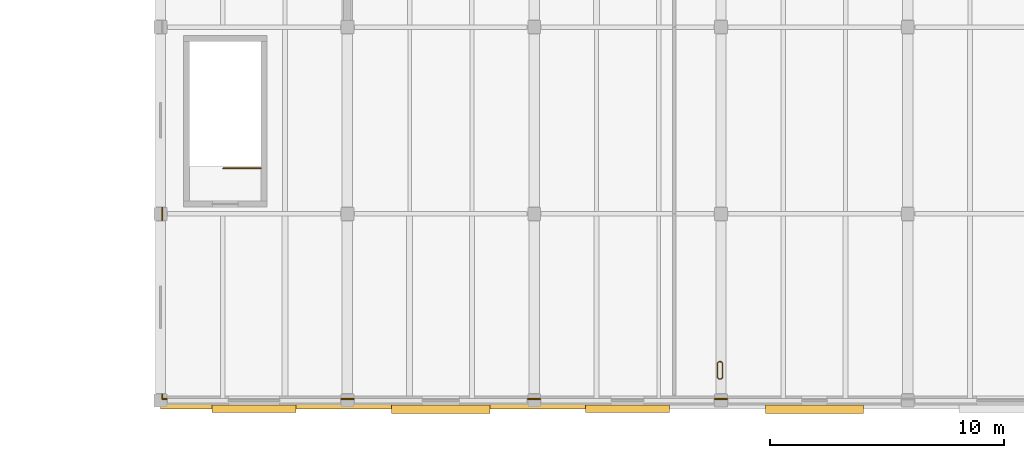
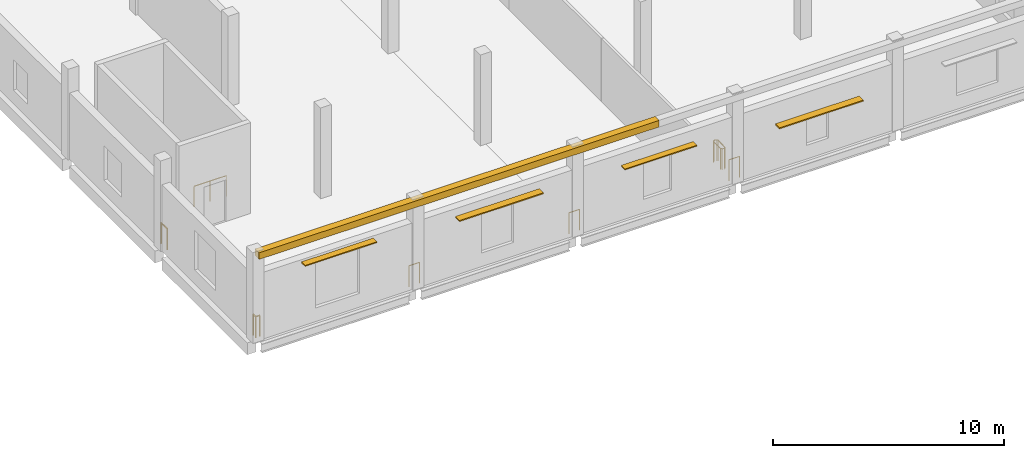
# One storey, part 49 of 52: 8 railings, 4 shading devices, 1 covering.
"""IFC4 building model written with IfcOpenShell, lengths in metres."""

import ifcopenshell
import ifcopenshell.guid

model = None  # the IFC model being written
_history = None  # IfcOwnerHistory: only IFC2X3 demands one
_inside = {}  # id of a spatial element -> (the spatial element, [elements in it])
_under = {}  # id of a project, library or spatial element -> (it, [spatial elements below it])
_declared = {}  # id of a project -> (the project, [libraries it declares])
_typed = {}  # id of a type object -> (the type object, [elements of that type])
_made_of = {}  # id of a material, layer set ... -> (it, [elements and type objects made of it])


def new_model(schema):
    """Start an empty IFC model of exactly this schema.

    Asked for "IFC4X3", IfcOpenShell would pick the latest addendum, in which some entities
    have other attributes; the version numbers below select the first issue.
    IFC2X3 requires an IfcOwnerHistory on every rooted entity: one is made here for all.
    """
    global model, _history
    if schema == "IFC4X3":
        model = ifcopenshell.file(schema_version=(4, 3, 0, 0))
    else:
        model = ifcopenshell.file(schema=schema)
    _inside.clear()
    _under.clear()
    _declared.clear()
    _typed.clear()
    _made_of.clear()
    _history = None
    if model.schema == "IFC2X3":
        org = make("IfcOrganization", Name="unknown")
        user = make(
            "IfcPersonAndOrganization",
            ThePerson=make("IfcPerson", FamilyName="unknown"),
            TheOrganization=org,
        )
        app = make(
            "IfcApplication",
            ApplicationDeveloper=org,
            Version="unknown",
            ApplicationFullName="unknown",
            ApplicationIdentifier="unknown",
        )
        _history = make(
            "IfcOwnerHistory",
            OwningUser=user,
            OwningApplication=app,
            ChangeAction="ADDED",
            CreationDate=0,
        )
    return model


def make(cls, **values):
    """One entity of the class cls with the attributes given. An attribute that is None is left unset."""
    return model.create_entity(
        cls, **{name: value for name, value in values.items() if value is not None}
    )


def rooted(cls, **values):
    """An entity with a GlobalId (a new one), such as an element, a storey or a relation."""
    return make(cls, GlobalId=ifcopenshell.guid.new(), OwnerHistory=_history, **values)


def si_unit(unit_type, name, prefix=None):
    """IfcSIUnit, for example si_unit("LENGTHUNIT", "METRE", prefix="MILLI")."""
    return make("IfcSIUnit", UnitType=unit_type, Prefix=prefix, Name=name)


def assignment(units):
    """IfcUnitAssignment: the units of a project."""
    return None if units is None else make("IfcUnitAssignment", Units=units)


def point(xyz):
    """IfcCartesianPoint."""
    return None if xyz is None else make("IfcCartesianPoint", Coordinates=xyz)


def direction(xyz):
    """IfcDirection."""
    return None if xyz is None else make("IfcDirection", DirectionRatios=xyz)


def frame(location, z_axis=None, x_axis=None):
    """IfcAxis2Placement3D, a coordinate frame: its origin and axes. An axis left out is left unset."""
    return make(
        "IfcAxis2Placement3D",
        Location=point(location),
        Axis=direction(z_axis),
        RefDirection=direction(x_axis),
    )


def frame_2d(location, x_axis=None):
    """IfcAxis2Placement2D, a coordinate frame in the plane: its origin and x axis."""
    return make(
        "IfcAxis2Placement2D", Location=point(location), RefDirection=direction(x_axis)
    )


def origin():
    """The frame at (0, 0, 0) with its axes left unset."""
    return frame((0.0, 0.0, 0.0))


def origin_2d():
    """The frame at (0, 0) in the plane with its x axis left unset."""
    return frame_2d((0.0, 0.0))


def place(relative_to, where):
    """IfcLocalPlacement: puts the frame where relative to a parent placement (None: the world)."""
    return make(
        "IfcLocalPlacement", PlacementRelTo=relative_to, RelativePlacement=where
    )


def context(
    kind, dimensions, precision=None, world=None, true_north=None, identifier=None
):
    """IfcGeometricRepresentationContext, for example the 3D "Model" context."""
    return make(
        "IfcGeometricRepresentationContext",
        ContextIdentifier=identifier,
        ContextType=kind,
        CoordinateSpaceDimension=dimensions,
        Precision=precision,
        WorldCoordinateSystem=world,
        TrueNorth=true_north,
    )


def subcontext(parent, identifier, kind, view, scale=None):
    """IfcGeometricRepresentationSubContext, for example "Body" below "Model"."""
    return make(
        "IfcGeometricRepresentationSubContext",
        ContextIdentifier=identifier,
        ContextType=kind,
        ParentContext=parent,
        TargetScale=scale,
        TargetView=view,
    )


def project(units=None, contexts=None):
    """IfcProject with its units and contexts."""
    return rooted(
        "IfcProject",
        Name="project",
        RepresentationContexts=contexts,
        UnitsInContext=assignment(units),
    )


def spatial(cls, under=None, at=None, **own):
    """A site, building, storey or space (cls), placed at a placement, below another one or the project."""
    s = rooted(cls, ObjectPlacement=at, **own)
    if under is not None:
        _under.setdefault(under.id(), (under, []))[1].append(s)
    return s


def polyline(points):
    """IfcPolyline through the points."""
    return make("IfcPolyline", Points=[point(p) for p in points])


def profile(cls, at=None, kind="AREA", **sizes):
    """A parametric profile (cls). Its sizes go by their IFC names, for example OverallWidth=200.0."""
    return make(cls, ProfileType=kind, Position=at, **sizes)


def rectangle(**sizes):
    """IfcRectangleProfileDef."""
    return profile("IfcRectangleProfileDef", **sizes)


def circle(**sizes):
    """IfcCircleProfileDef."""
    return profile("IfcCircleProfileDef", **sizes)


def outline(outer, holes=None, kind="AREA"):
    """IfcArbitraryClosedProfileDef: a profile drawn as a closed curve; with holes, ...WithVoids."""
    if holes is None:
        return make("IfcArbitraryClosedProfileDef", ProfileType=kind, OuterCurve=outer)
    return make(
        "IfcArbitraryProfileDefWithVoids",
        ProfileType=kind,
        OuterCurve=outer,
        InnerCurves=holes,
    )


def extrude(swept, where, along, depth):
    """IfcExtrudedAreaSolid: the profile swept, set in the frame where, extruded along a direction by depth."""
    return make(
        "IfcExtrudedAreaSolid",
        SweptArea=swept,
        Position=where,
        ExtrudedDirection=direction(along),
        Depth=depth,
    )


def shape(context_of_items, identifier, shape_type, items):
    """IfcShapeRepresentation: the items that make up one representation, for example the "Body"."""
    return make(
        "IfcShapeRepresentation",
        ContextOfItems=context_of_items,
        RepresentationIdentifier=identifier,
        RepresentationType=shape_type,
        Items=items,
    )


def material(Name=None, Category=None):
    """IfcMaterial."""
    return make("IfcMaterial", Name=Name, Category=Category)


def layer(
    of_material, thickness, ventilated=None, Name=None, Category=None, Priority=None
):
    """IfcMaterialLayer: one layer of a wall or slab, of a material (None: an air gap)."""
    return make(
        "IfcMaterialLayer",
        Material=of_material,
        LayerThickness=thickness,
        IsVentilated=ventilated,
        Name=Name,
        Category=Category,
        Priority=Priority,
    )


def layer_set(layers, Name=None):
    """IfcMaterialLayerSet."""
    return make("IfcMaterialLayerSet", MaterialLayers=layers, LayerSetName=Name)


def made_of(thing, what):
    """Note that an element or type object is made of a material, layer set ...; save() writes the relation."""
    if what is not None:
        _made_of.setdefault(what.id(), (what, []))[1].append(thing)
    return thing


def type_object(cls, material=None, **own):
    """A type object (cls), such as IfcWallType, which elements share."""
    return made_of(rooted(cls, **own), material)


def element(
    cls,
    number,
    at=None,
    inside=None,
    cuts=None,
    type_object=None,
    material=None,
    context=None,
    identifier="Body",
    shape_type=None,
    held_by="IfcProductDefinitionShape",
    body=None,
    shapes=None,
    **own,
):
    """One element of the class cls, such as IfcWall. Its Tag is "e" and its number.

    at: its placement. inside: the storey or other place that contains it. cuts: it is an
    opening in that element (IfcRelVoidsElement). A single representation is given by context,
    identifier, shape_type and body (its items); several are given by shapes. held_by: the class
    of the entity that holds the representations. save() writes the other relations.
    """
    e = rooted(cls, Tag="e%d" % number, ObjectPlacement=at, **own)
    if body is not None:
        shapes = [shape(context, identifier, shape_type, body)]
    if shapes is not None:
        e.Representation = make(held_by, Representations=shapes)
    if inside is not None:
        _inside.setdefault(inside.id(), (inside, []))[1].append(e)
    if cuts is not None:
        rooted(
            "IfcRelVoidsElement", RelatingBuildingElement=cuts, RelatedOpeningElement=e
        )
    if type_object is not None:
        _typed.setdefault(type_object.id(), (type_object, []))[1].append(e)
    return made_of(e, material)


def aggregate(whole, parts):
    """IfcRelAggregates: a whole, such as a stair, and the parts it consists of."""
    return rooted("IfcRelAggregates", RelatingObject=whole, RelatedObjects=parts)


def save(model, path):
    """Write the relations noted so far, then the file.

    IfcRelAggregates (storeys below a building ...), IfcRelContainedInSpatialStructure (elements
    in a storey), IfcRelDefinesByType, IfcRelAssociatesMaterial and IfcRelDeclares: one each for
    every whole, place, type object, material and project.
    """
    for whole, parts in _under.values():
        aggregate(whole, parts)
    for where, things in _inside.values():
        rooted(
            "IfcRelContainedInSpatialStructure",
            RelatedElements=things,
            RelatingStructure=where,
        )
    for kind, things in _typed.values():
        rooted("IfcRelDefinesByType", RelatedObjects=things, RelatingType=kind)
    for what, things in _made_of.values():
        rooted("IfcRelAssociatesMaterial", RelatedObjects=things, RelatingMaterial=what)
    for by, libraries in _declared.values():
        rooted("IfcRelDeclares", RelatingContext=by, RelatedDefinitions=libraries)
    model.write(path)


model = new_model("IFC4")

# Units and contexts
model_context = context("Model", 3, precision=1e-05, world=origin(), true_north=direction((0.0, 1.0)))
body_context = subcontext(model_context, "Body", "Model", "MODEL_VIEW")
ifc_project = project(units=[si_unit("LENGTHUNIT", "METRE"), si_unit("AREAUNIT", "SQUARE_METRE"), si_unit("VOLUMEUNIT", "CUBIC_METRE"), si_unit("PLANEANGLEUNIT", "RADIAN"), si_unit("MASSUNIT", "GRAM", prefix="KILO")], contexts=[model_context])

# Site, building, storey
site_placement = place(None, origin())
site = spatial("IfcSite", under=ifc_project, at=site_placement, CompositionType="ELEMENT")
building_placement = place(site_placement, origin())
building = spatial("IfcBuilding", under=site, at=building_placement, Name="Pecanmere Concourse Central Library", CompositionType="ELEMENT")
storey_placement = place(building_placement, frame((0.0, 0.0, 10.5)))
storey = spatial("IfcBuildingStorey", under=building, at=storey_placement, Name="L03", CompositionType="ELEMENT", Elevation=10.5)

# Covering
ifc_material_1 = material(Name="Texas cream limestone ashlar masonry", Category="masonry")
ifc_layer = layer(ifc_material_1, 0.06005859375, Name="COV_CLAD_CORNICE")
ifc_layer_set = layer_set([ifc_layer], Name="Texas cream limestone ashlar masonry")
covering_type = type_object("IfcCoveringType", Name="COV_CLAD_CORNICE", PredefinedType="CLADDING", material=ifc_layer_set)
covering_placement = place(storey_placement, frame((0.0, 0.0, 4.39990234375)))
element("IfcCovering", 1, at=covering_placement, inside=storey, type_object=covering_type, Name="Classical Entablature Cornice 03", PredefinedType="CLADDING", context=body_context, shape_type="SweptSolid", body=[
    extrude(outline(polyline([(128.0, -0.35009765625), (148.0, -0.35009765625), (148.0, 0.0), (128.0, 0.0), (128.0, -0.35009765625)])), origin(), (0.0, 0.0, 1.0), 0.35009765625),
])

# Railings
ifc_material_2 = material(Name="Architectural anodized bronze")
railing_type_1 = type_object("IfcRailingType", Name="RAIL_ATRIUM_BAL", PredefinedType="BALUSTRADE", material=ifc_material_2)
railing_1_placement = place(storey_placement, frame((128.070068359375, 0.070068359375, 0.0)))
element("IfcRailing", 2, at=railing_1_placement, inside=storey, type_object=railing_type_1, Name="Deck Edge Protective Balustrade L03-100", PredefinedType="BALUSTRADE", context=body_context, shape_type="SweptSolid", body=[
    extrude(circle(Radius=0.02392578125, at=origin_2d()), frame((0.0, 0.0, 1.09619140625), z_axis=(0.0, 1.0, 0.0), x_axis=(-1.0, 0.0, 0.0)), (0.0, 0.0, 1.0), 0.199951171875),
    extrude(circle(Radius=0.02099609375, at=origin_2d()), origin(), (0.0, 0.0, 1.0), 1.072021484375),
    extrude(circle(Radius=0.02099609375, at=origin_2d()), frame((0.0, 0.199951171875, 0.0)), (0.0, 0.0, 1.0), 1.072021484375),
])
railing_2_placement = place(storey_placement, frame((128.070068359375, 7.72998046875, 0.0)))
element("IfcRailing", 3, at=railing_2_placement, inside=storey, type_object=railing_type_1, Name="Deck Edge Protective Balustrade L03-101", PredefinedType="BALUSTRADE", context=body_context, shape_type="SweptSolid", body=[
    extrude(circle(Radius=0.02392578125, at=origin_2d()), frame((0.0, 0.0, 1.09619140625), z_axis=(0.0, 1.0, 0.0), x_axis=(-1.0, 0.0, 0.0)), (0.0, 0.0, 1.0), 0.5400390625),
    extrude(circle(Radius=0.02099609375, at=origin_2d()), origin(), (0.0, 0.0, 1.0), 1.072021484375),
    extrude(circle(Radius=0.02099609375, at=origin_2d()), frame((0.0, 0.5400390625, 0.0)), (0.0, 0.0, 1.0), 1.072021484375),
])
for number, where, name in (
    (4, (152.27001953125, 0.070068359375, 0.0), "Deck Edge Protective Balustrade L03-110"),
    (5, (144.27001953125, 0.070068359375, 0.0), "Deck Edge Protective Balustrade L03-111"),
    (6, (136.27001953125, 0.070068359375, 0.0), "Deck Edge Protective Balustrade L03-112"),
):
    element("IfcRailing", number, at=place(storey_placement, frame(where)), inside=storey, type_object=railing_type_1, Name=name, PredefinedType="BALUSTRADE", context=body_context, shape_type="SweptSolid", body=[
        extrude(circle(Radius=0.02392578125, at=origin_2d()), frame((0.0, 0.0, 1.09619140625), z_axis=(-1.0, 0.0, 0.0), x_axis=(0.0, -1.0, 0.0)), (0.0, 0.0, 1.0), 0.5400390625),
        extrude(circle(Radius=0.02099609375, at=origin_2d()), origin(), (0.0, 0.0, 1.0), 1.072021484375),
        extrude(circle(Radius=0.02099609375, at=origin_2d()), frame((-0.5400390625, 0.0, 0.0)), (0.0, 0.0, 1.0), 1.072021484375),
    ])
railing_3_placement = place(storey_placement, frame((128.27001953125, 0.070068359375, 0.0)))
element("IfcRailing", 7, at=railing_3_placement, inside=storey, type_object=railing_type_1, Name="Deck Edge Protective Balustrade L03-113", PredefinedType="BALUSTRADE", context=body_context, shape_type="SweptSolid", body=[
    extrude(circle(Radius=0.02392578125, at=origin_2d()), frame((0.0, 0.0, 1.09619140625), z_axis=(-1.0, 0.0, 0.0), x_axis=(0.0, -1.0, 0.0)), (0.0, 0.0, 1.0), 0.199951171875),
    extrude(circle(Radius=0.02099609375, at=origin_2d()), origin(), (0.0, 0.0, 1.0), 1.072021484375),
    extrude(circle(Radius=0.02099609375, at=origin_2d()), frame((-0.199951171875, 0.0, 0.0)), (0.0, 0.0, 1.0), 1.072021484375),
])
railing_4_placement = place(storey_placement, frame((152.069580078125, 1.596923828125, 0.0)))
element("IfcRailing", 8, at=railing_4_placement, inside=storey, type_object=railing_type_1, Name="Deck Edge Protective Balustrade L03-114", PredefinedType="BALUSTRADE", context=body_context, shape_type="SweptSolid", body=[
    extrude(circle(Radius=0.02392578125, at=origin_2d()), frame((0.0, 0.0, 1.09619140625), z_axis=(-0.591491231767, 0.806311430369, 0.0), x_axis=(-0.806311430369, -0.591491231767, 0.0)), (0.0, 0.0, 1.0), 0.0830078125),
    extrude(circle(Radius=0.02392578125, at=origin_2d()), frame((-0.049072265625, 0.06689453125, 1.09619140625), z_axis=(-0.998195860289, 0.060041856258, 0.0), x_axis=(-0.060041856258, -0.998195860289, 0.0)), (0.0, 0.0, 1.0), 0.09765625),
    extrude(circle(Radius=0.02392578125, at=origin_2d()), frame((-0.146484375, 0.07275390625, 1.09619140625), z_axis=(-0.806311430369, -0.591491231767, 0.0), x_axis=(0.591491231767, -0.806311430369, 0.0)), (0.0, 0.0, 1.0), 0.0830078125),
    extrude(circle(Radius=0.02392578125, at=origin_2d()), frame((-0.21337890625, 0.023681640625, 1.09619140625), z_axis=(-0.009489489668, -0.999954973779, 0.0), x_axis=(0.999954973779, -0.009489489668, 0.0)), (0.0, 0.0, 1.0), 0.617431640625),
    extrude(circle(Radius=0.02392578125, at=origin_2d()), frame((-0.21923828125, -0.59375, 1.09619140625), z_axis=(0.591491231767, -0.806311430369, 0.0), x_axis=(0.806311430369, 0.591491231767, 0.0)), (0.0, 0.0, 1.0), 0.0830078125),
    extrude(circle(Radius=0.02392578125, at=origin_2d()), frame((-0.170166015625, -0.66064453125, 1.09619140625), z_axis=(0.998195860289, -0.060041856258, 0.0), x_axis=(0.060041856258, 0.998195860289, 0.0)), (0.0, 0.0, 1.0), 0.09765625),
    extrude(circle(Radius=0.02392578125, at=origin_2d()), frame((-0.07275390625, -0.66650390625, 1.09619140625), z_axis=(0.806311430369, 0.591491231767, 0.0), x_axis=(-0.591491231767, 0.806311430369, 0.0)), (0.0, 0.0, 1.0), 0.0830078125),
    extrude(circle(Radius=0.02392578125, at=origin_2d()), frame((-0.005859375, -0.617431640625, 1.09619140625), z_axis=(0.009489489668, 0.999954973779, 0.0), x_axis=(-0.999954973779, 0.009489489668, 0.0)), (0.0, 0.0, 1.0), 0.617431640625),
    extrude(circle(Radius=0.02099609375, at=origin_2d()), origin(), (0.0, 0.0, 1.0), 1.072021484375),
    extrude(circle(Radius=0.02099609375, at=origin_2d()), frame((-0.049072265625, 0.06689453125, 0.0)), (0.0, 0.0, 1.0), 1.072021484375),
    extrude(circle(Radius=0.02099609375, at=origin_2d()), frame((-0.146484375, 0.07275390625, 0.0)), (0.0, 0.0, 1.0), 1.072021484375),
    extrude(circle(Radius=0.02099609375, at=origin_2d()), frame((-0.21337890625, 0.023681640625, 0.0)), (0.0, 0.0, 1.0), 1.072021484375),
    extrude(circle(Radius=0.02099609375, at=origin_2d()), frame((-0.21923828125, -0.59375, 0.0)), (0.0, 0.0, 1.0), 1.072021484375),
    extrude(circle(Radius=0.02099609375, at=origin_2d()), frame((-0.170166015625, -0.66064453125, 0.0)), (0.0, 0.0, 1.0), 1.072021484375),
    extrude(circle(Radius=0.02099609375, at=origin_2d()), frame((-0.07275390625, -0.66650390625, 0.0)), (0.0, 0.0, 1.0), 1.072021484375),
    extrude(circle(Radius=0.02099609375, at=origin_2d()), frame((-0.005859375, -0.617431640625, 0.0)), (0.0, 0.0, 1.0), 1.072021484375),
])
ifc_material_3 = material(Name="Painted architectural steel ASTM A36", Category="steel")
railing_type_2 = type_object("IfcRailingType", Name="RAIL_STAIR_GUARD", PredefinedType="GUARDRAIL", material=ifc_material_3)
railing_5_placement = place(storey_placement, frame((132.300048828125, 9.949951171875, 0.0)))
element("IfcRailing", 9, at=railing_5_placement, inside=storey, type_object=railing_type_2, Name="L03 ST-08 Top Well Guard 1", PredefinedType="GUARDRAIL", context=body_context, shape_type="SweptSolid", body=[
    extrude(circle(Radius=0.02392578125, at=origin_2d()), frame((0.0, 0.0, 1.076171875), z_axis=(-1.0, 0.0, 0.0), x_axis=(0.0, -1.0, 0.0)), (0.0, 0.0, 1.0), 1.610107421875),
    extrude(circle(Radius=0.02099609375, at=origin_2d()), origin(), (0.0, 0.0, 1.0), 1.052001953125),
    extrude(circle(Radius=0.02099609375, at=origin_2d()), frame((-0.80517578125, 0.0, 0.0)), (0.0, 0.0, 1.0), 1.052001953125),
    extrude(circle(Radius=0.02099609375, at=origin_2d()), frame((-1.610107421875, 0.0, 0.0)), (0.0, 0.0, 1.0), 1.052001953125),
])

# Shading devices
ifc_material_4 = material(Name="Architectural anodized bronze")
shading_device_type_1 = type_object("IfcShadingDeviceType", Name="SHD_BRISE_1", PredefinedType="AWNING", material=ifc_material_4)
for number, where, z_axis, x_axis, name in (
    (10, (140.0, -0.375, 3.050048828125), (0.0, 0.0, 1.0), (1.0, 0.0, 0.0), "Bronze Solar Brise-Soleil L03-038"),
    (11, (156.0, -0.375, 2.349853515625), (0.0, 0.0, 1.0), (1.0, 0.0, 0.0), "Bronze Solar Brise-Soleil L03-040"),
):
    element("IfcShadingDevice", number, at=place(storey_placement, frame(where, z_axis=z_axis, x_axis=x_axis)), inside=storey, type_object=shading_device_type_1, Name=name, PredefinedType="AWNING", context=body_context, shape_type="SweptSolid", body=[
        extrude(rectangle(XDim=4.199951171875, YDim=0.360107421875, at=origin_2d()), origin(), (0.0, 0.0, 1.0), 0.06005859375),
    ])
ifc_material_5 = material(Name="Architectural anodized bronze")
shading_device_type_2 = type_object("IfcShadingDeviceType", Name="SHD_BRISE_2", PredefinedType="AWNING", material=ifc_material_5)
for number, where, z_axis, x_axis, name in (
    (12, (132.0, -0.35498046875, 3.3525390625), (0.0, 0.0, 1.0), (1.0, 0.0, 0.0), "Bronze Solar Brise-Soleil L03-037"),
    (13, (148.0, -0.35498046875, 2.8525390625), (0.0, 0.0, 1.0), (1.0, 0.0, 0.0), "Bronze Solar Brise-Soleil L03-039"),
):
    element("IfcShadingDevice", number, at=place(storey_placement, frame(where, z_axis=z_axis, x_axis=x_axis)), inside=storey, type_object=shading_device_type_2, Name=name, PredefinedType="AWNING", context=body_context, shape_type="SweptSolid", body=[
        extrude(rectangle(XDim=3.60009765625, YDim=0.320068359375, at=origin_2d()), origin(), (0.0, 0.0, 1.0), 0.054931640625),
    ])

save(model, "model.ifc")
